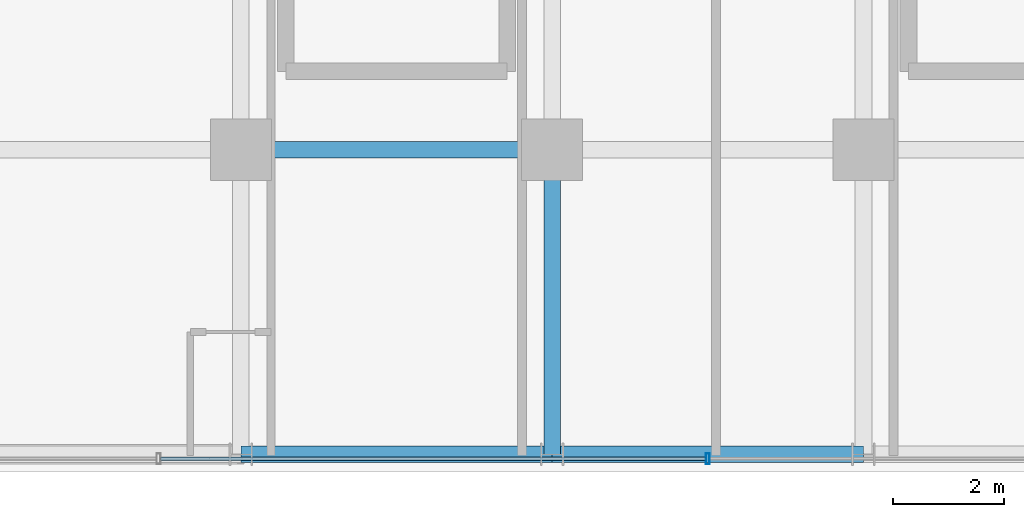
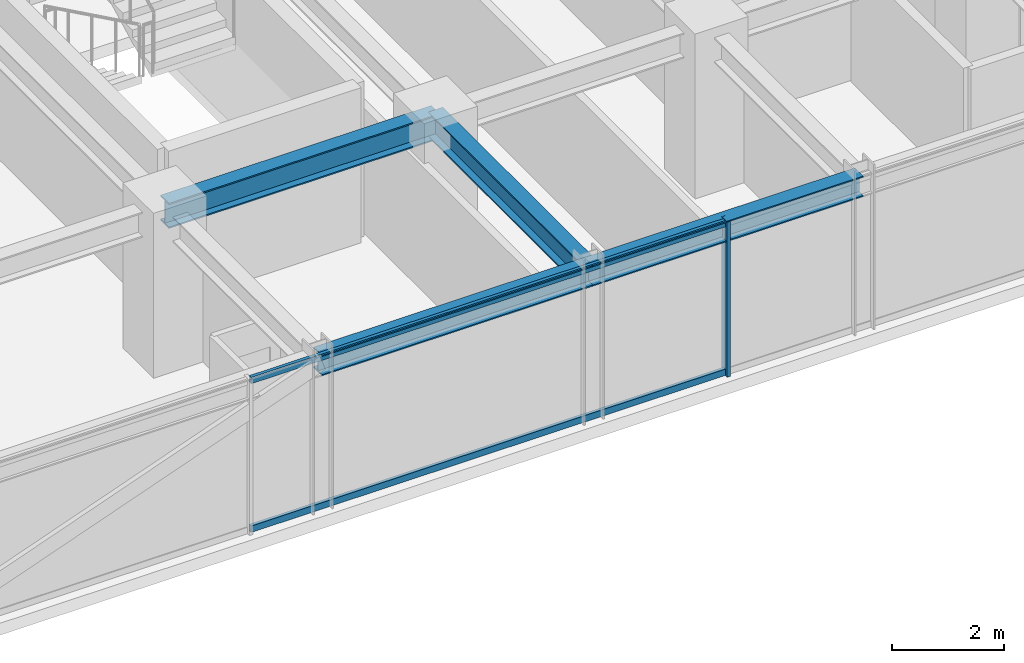
# One storey, part 6 of 37: 4 beams, 3 members, 1 element without a shape of its own.
"""IFC4 building model written with IfcOpenShell, lengths in metres."""

from ifc_helpers import new_model, si_unit, direction, frame, origin, origin_2d, place, context, subcontext, project, spatial, hollow_rectangle, i_section, extrude, source, transform, mapped, material, material_profile, profile_set, type_object, element, aggregate, save


model = new_model("IFC4")

# Units and contexts
model_context = context("Model", 3, precision=1e-05, world=origin(), true_north=direction((0.0, 1.0)))
body_context = subcontext(model_context, "Body", "Model", "MODEL_VIEW")
ifc_project = project(units=[si_unit("LENGTHUNIT", "METRE"), si_unit("AREAUNIT", "SQUARE_METRE"), si_unit("VOLUMEUNIT", "CUBIC_METRE"), si_unit("PLANEANGLEUNIT", "RADIAN"), si_unit("MASSUNIT", "GRAM", prefix="KILO")], contexts=[model_context])

# Site, building, storey
site_placement = place(None, origin())
site = spatial("IfcSite", under=ifc_project, at=site_placement, CompositionType="ELEMENT")
building_placement = place(site_placement, origin())
building = spatial("IfcBuilding", under=site, at=building_placement, Name="Nahalor Promenade Grand Hotel", CompositionType="ELEMENT")
storey_placement = place(building_placement, frame((0.0, 0.0, 167.25)))
storey = spatial("IfcBuildingStorey", under=building, at=storey_placement, Name="L42", CompositionType="ELEMENT", Elevation=167.25)

# Beams
ifc_material_1 = material(Name="Steel S355JR", Category="steel")
ifc_material_profile_1 = material_profile(ifc_material_1, i_section(OverallWidth=0.3, OverallDepth=0.55, WebThickness=0.015, FlangeThickness=0.029, at=origin_2d()), Name="HEB 550")
ifc_profile_set_1 = profile_set([ifc_material_profile_1], Name="Steel S355JR")
beam_type_1 = type_object("IfcBeamType", Name="Beam-Girder-HEB550", PredefinedType="BEAM", material=ifc_profile_set_1)
shared_shape_1 = source(origin(), body_context, "Body", "SweptSolid", [
    extrude(i_section(OverallWidth=0.3, OverallDepth=0.55, WebThickness=0.015, FlangeThickness=0.029, at=origin_2d()), origin(), (0.0, 0.0, 1.0), 5.599853515625),
])
beam_1_placement = place(storey_placement, frame((-8.39990234375, -17.0, 3.114990234375), z_axis=(1.0, 0.0, 0.0), x_axis=(0.0, 1.0, 0.0)))
element("IfcBeam", 1, at=beam_1_placement, inside=storey, type_object=beam_type_1, Name="BM-L42-GX-0-2", PredefinedType="BEAM", context=body_context, shape_type="MappedRepresentation", body=[
    mapped(shared_shape_1, transform((0.0, 0.0, 0.0), scale=1.0)),
])
shared_shape_2 = source(origin(), body_context, "Body", "SweptSolid", [
    extrude(i_section(OverallWidth=0.3, OverallDepth=0.55, WebThickness=0.015, FlangeThickness=0.029, at=origin_2d()), origin(), (0.0, 0.0, 1.0), 5.47998046875),
])
beam_2_placement = place(storey_placement, frame((-2.800048828125, -22.47998046875, 3.114990234375), z_axis=(0.0, 1.0, 0.0), x_axis=(-1.0, 0.0, 0.0)))
element("IfcBeam", 2, at=beam_2_placement, inside=storey, type_object=beam_type_1, Name="BM-L42-GY-2-0", PredefinedType="BEAM", context=body_context, shape_type="MappedRepresentation", body=[
    mapped(shared_shape_2, transform((0.0, 0.0, 0.0), scale=1.0)),
])
ifc_material_profile_2 = material_profile(ifc_material_1, i_section(OverallWidth=0.3, OverallDepth=0.45, WebThickness=0.014, FlangeThickness=0.026, at=origin_2d()), Name="HEB 450")
ifc_profile_set_2 = profile_set([ifc_material_profile_2], Name="Steel S355JR")
beam_type_2 = type_object("IfcBeamType", Name="Beam-Spandrel-HEB450", PredefinedType="SPANDREL", material=ifc_profile_set_2)
shared_shape_3 = source(origin(), body_context, "Body", "SweptSolid", [
    extrude(i_section(OverallWidth=0.3, OverallDepth=0.45, WebThickness=0.014, FlangeThickness=0.026, at=origin_2d()), origin(), (0.0, 0.0, 1.0), 5.599853515625),
])
beam_3_placement = place(storey_placement, frame((-8.39990234375, -22.47998046875, 3.1650390625), z_axis=(1.0, 0.0, 0.0), x_axis=(0.0, 1.0, 0.0)))
element("IfcBeam", 3, at=beam_3_placement, inside=storey, type_object=beam_type_2, Name="BM-L42-SP-S-1", PredefinedType="SPANDREL", context=body_context, shape_type="MappedRepresentation", body=[
    mapped(shared_shape_3, transform((0.0, 0.0, 0.0), scale=1.0)),
])
shared_shape_4 = source(origin(), body_context, "Body", "SweptSolid", [
    extrude(i_section(OverallWidth=0.3, OverallDepth=0.45, WebThickness=0.014, FlangeThickness=0.026, at=origin_2d()), origin(), (0.0, 0.0, 1.0), 5.60009765625),
])
beam_4_placement = place(storey_placement, frame((-2.800048828125, -22.47998046875, 3.1650390625), z_axis=(1.0, 0.0, 0.0), x_axis=(0.0, 1.0, 0.0)))
element("IfcBeam", 4, at=beam_4_placement, inside=storey, type_object=beam_type_2, Name="BM-L42-SP-S-2", PredefinedType="SPANDREL", context=body_context, shape_type="MappedRepresentation", body=[
    mapped(shared_shape_4, transform((0.0, 0.0, 0.0), scale=1.0)),
])

# Curtain wall, members
ifc_material_2 = material(Name="Anodised Bronze Aluminium EN AW-6063 T6", Category="aluminium")
curtain_wall_type = type_object("IfcCurtainWallType", Name="CW3 Elliptical-Void Collar Unitised Curtain Wall", PredefinedType="USERDEFINED", material=ifc_material_2)
curtain_wall_placement = place(storey_placement, origin())
curtain_wall = element("IfcCurtainWall", 5, at=curtain_wall_placement, inside=storey, type_object=curtain_wall_type, Name="L42 Curtain Wall CW-L42-S-1", ObjectType="UNITISED_CURTAIN_WALL", PredefinedType="USERDEFINED")
ifc_material_profile_3 = material_profile(ifc_material_2, hollow_rectangle(XDim=0.07, YDim=0.14, WallThickness=0.004, at=origin_2d()), Name="CWT 70x140x4")
ifc_profile_set_3 = profile_set([ifc_material_profile_3], Name="Anodised Bronze Aluminium EN AW-6063 T6")
member_type_1 = type_object("IfcMemberType", Name="CWT3 Void Collar Transom 70x140", PredefinedType="USERDEFINED", material=ifc_profile_set_3)
shared_shape_5 = source(origin(), body_context, "Body", "SweptSolid", [
    extrude(hollow_rectangle(XDim=0.07, YDim=0.14, WallThickness=0.004, at=origin_2d()), origin(), (0.0, 0.0, 1.0), 9.81005859375),
])
member_1_placement = place(storey_placement, frame((-9.844970703125, -22.56005859375, 0.070068359375), z_axis=(1.0, 0.0, 0.0), x_axis=(0.0, 1.0, 0.0)))
member_1 = element("IfcMember", 6, at=member_1_placement, type_object=member_type_1, Name="CW-L42-S-1 Transom 1-0", ObjectType="TRANSOM", PredefinedType="USERDEFINED", context=body_context, shape_type="MappedRepresentation", body=[
    mapped(shared_shape_5, transform((0.0, 0.0, 0.0), scale=1.0)),
])
member_2_placement = place(storey_placement, frame((-9.844970703125, -22.56005859375, 3.320068359375), z_axis=(1.0, 0.0, 0.0), x_axis=(0.0, 1.0, 0.0)))
member_2 = element("IfcMember", 7, at=member_2_placement, type_object=member_type_1, Name="CW-L42-S-1 Transom 1-1", ObjectType="TRANSOM", PredefinedType="USERDEFINED", context=body_context, shape_type="MappedRepresentation", body=[
    mapped(shared_shape_5, transform((0.0, 0.0, 0.0), scale=1.0)),
])
ifc_material_profile_4 = material_profile(ifc_material_2, hollow_rectangle(XDim=0.07, YDim=0.2, WallThickness=0.005, at=origin_2d()), Name="CWM 70x200x5")
ifc_profile_set_4 = profile_set([ifc_material_profile_4], Name="Anodised Bronze Aluminium EN AW-6063 T6")
member_type_2 = type_object("IfcMemberType", Name="CWM3 Void Collar Mullion 70x200", PredefinedType="MULLION", material=ifc_profile_set_4)
shared_shape_6 = source(origin(), body_context, "Body", "SweptSolid", [
    extrude(hollow_rectangle(XDim=0.07, YDim=0.2, WallThickness=0.005, at=origin_2d()), origin(), (0.0, 0.0, 1.0), 3.389892578125),
])
member_3_placement = place(storey_placement, frame((0.0, -22.56005859375, 0.0), z_axis=(0.0, 0.0, 1.0), x_axis=(1.0, 0.0, 0.0)))
member_3 = element("IfcMember", 8, at=member_3_placement, type_object=member_type_2, Name="CW-L42-S-1 Mullion 2", PredefinedType="MULLION", context=body_context, shape_type="MappedRepresentation", body=[
    mapped(shared_shape_6, transform((0.0, 0.0, 0.0), scale=1.0)),
])
aggregate(curtain_wall, [member_3, member_1, member_2])

save(model, "model.ifc")
